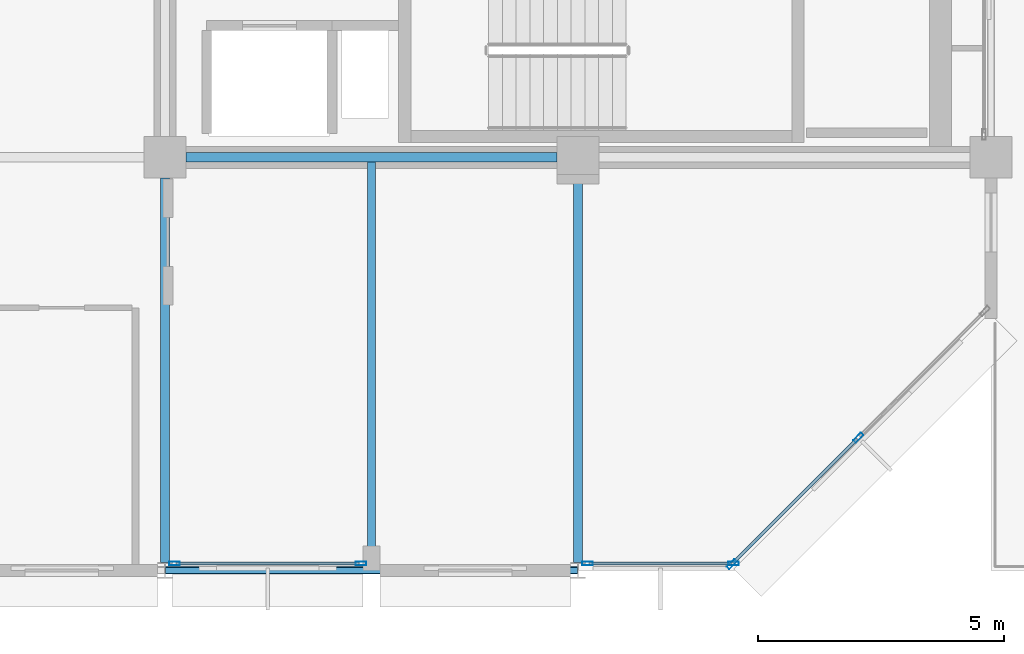
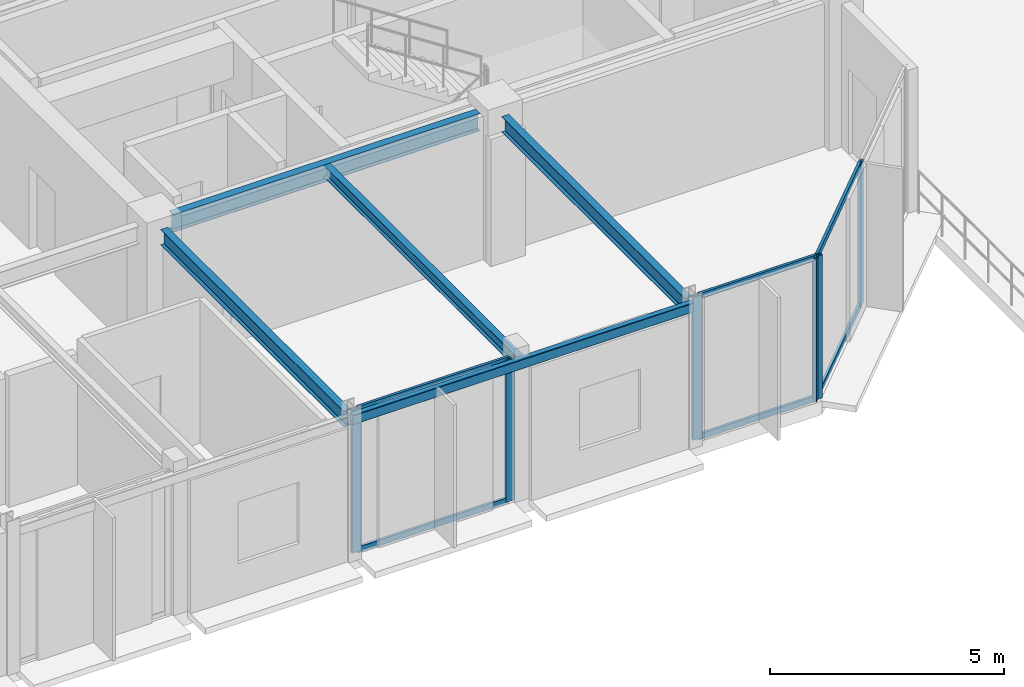
# One storey, part 5 of 23: 12 members, 5 beams, 3 elements without a shape of their own.
"""IFC4 building model written with IfcOpenShell, lengths in metres."""

from ifc_helpers import new_model, si_unit, direction, frame, origin, origin_2d, place, context, subcontext, project, spatial, hollow_rectangle, i_section, extrude, material, layer, layer_set, material_profile, profile_set, type_object, element, aggregate, save


model = new_model("IFC4")

# Units and contexts
model_context = context("Model", 3, precision=1e-05, world=origin(), true_north=direction((0.0, 1.0)))
body_context = subcontext(model_context, "Body", "Model", "MODEL_VIEW")
ifc_project = project(units=[si_unit("LENGTHUNIT", "METRE"), si_unit("AREAUNIT", "SQUARE_METRE"), si_unit("VOLUMEUNIT", "CUBIC_METRE"), si_unit("PLANEANGLEUNIT", "RADIAN"), si_unit("MASSUNIT", "GRAM", prefix="KILO")], contexts=[model_context])

# Site, building, storey
site_placement = place(None, origin())
site = spatial("IfcSite", under=ifc_project, at=site_placement, CompositionType="ELEMENT")
building_placement = place(site_placement, origin())
building = spatial("IfcBuilding", under=site, at=building_placement, Name="Nerrivon Quay Data Exchange", CompositionType="ELEMENT")
storey_placement = place(building_placement, frame((0.0, 0.0, 286.199951171875)))
storey = spatial("IfcBuildingStorey", under=building, at=storey_placement, Name="L68", CompositionType="ELEMENT", Elevation=286.199951171875)

# Beams
ifc_material_1 = material(Name="Steel Grade 350", Category="steel")
ifc_material_profile_1 = material_profile(ifc_material_1, i_section(OverallWidth=0.18994140625, OverallDepth=0.4541015625, WebThickness=0.008544921875, FlangeThickness=0.0126953125, FilletRadius=0.011474609375, at=origin_2d()), Name="460UB67.1")
ifc_profile_set_1 = profile_set([ifc_material_profile_1], Name="Steel Grade 350")
beam_type_1 = type_object("IfcBeamType", Name="BM-G6-460UB67", PredefinedType="BEAM", material=ifc_profile_set_1)
beam_1_placement = place(storey_placement, frame((17.22509765625, 8.39990234375, 3.498046875), z_axis=(1.0, 0.0, 0.0), x_axis=(0.0, 1.0, 0.0)))
element("IfcBeam", 1, at=beam_1_placement, inside=storey, type_object=beam_type_1, Name="L68 EW Girder Y=8.4 (16.8..25.2)", PredefinedType="BEAM", context=body_context, shape_type="SweptSolid", body=[
    extrude(i_section(OverallWidth=0.18994140625, OverallDepth=0.4541015625, WebThickness=0.008544921875, FlangeThickness=0.0126953125, FilletRadius=0.011474609375, at=origin_2d()), origin(), (0.0, 0.0, 1.0), 7.5498046875),
])
ifc_material_profile_2 = material_profile(ifc_material_1, i_section(OverallWidth=0.177978515625, OverallDepth=0.406005859375, WebThickness=0.0078125, FlangeThickness=0.0126953125, FilletRadius=0.011474609375, at=origin_2d()), Name="410UB59.7")
ifc_profile_set_2 = profile_set([ifc_material_profile_2], Name="Steel Grade 350")
beam_type_2 = type_object("IfcBeamType", Name="BM-J1-410UB60", PredefinedType="JOIST", material=ifc_profile_set_2)
for number, where, z_axis, x_axis, name in (
    (2, (16.800048828125, 0.16357421875, 3.52197265625), (0.0, 1.0, 0.0), (-1.0, 0.0, 0.0), "L68 NS Girder X=16.8 (0.0..8.4)"),
    (3, (25.199951171875, 0.16357421875, 3.52197265625), (0.0, 1.0, 0.0), (-1.0, 0.0, 0.0), "L68 NS Girder X=25.2 (0.0..8.4)"),
):
    element("IfcBeam", number, at=place(storey_placement, frame(where, z_axis=z_axis, x_axis=x_axis)), inside=storey, type_object=beam_type_2, Name=name, PredefinedType="JOIST", context=body_context, shape_type="SweptSolid", body=[
        extrude(i_section(OverallWidth=0.177978515625, OverallDepth=0.406005859375, WebThickness=0.0078125, FlangeThickness=0.0126953125, FilletRadius=0.011474609375, at=origin_2d()), origin(), (0.0, 0.0, 1.0), 7.8115234375),
    ])
ifc_material_profile_3 = material_profile(ifc_material_1, i_section(OverallWidth=0.1650390625, OverallDepth=0.303955078125, WebThickness=0.006103515625, FlangeThickness=0.01025390625, FilletRadius=0.011474609375, at=origin_2d()), Name="310UB40.4")
ifc_profile_set_3 = profile_set([ifc_material_profile_3], Name="Steel Grade 350")
beam_type_3 = type_object("IfcBeamType", Name="BM-J6-310UB40", PredefinedType="JOIST", material=ifc_profile_set_3)
beam_2_placement = place(storey_placement, frame((21.0, 0.074951171875, 3.572998046875), z_axis=(0.0, 1.0, 0.0), x_axis=(-1.0, 0.0, 0.0)))
element("IfcBeam", 4, at=beam_2_placement, inside=storey, type_object=beam_type_3, Name="L68 Secondary Joist X=21.0 (0.0..8.4)", PredefinedType="JOIST", context=body_context, shape_type="SweptSolid", body=[
    extrude(i_section(OverallWidth=0.1650390625, OverallDepth=0.303955078125, WebThickness=0.006103515625, FlangeThickness=0.01025390625, FilletRadius=0.011474609375, at=origin_2d()), origin(), (0.0, 0.0, 1.0), 8.22998046875),
])
ifc_material_2 = material(Name="Steel Grade C350L0 (350 MPa)", Category="steel")
ifc_material_profile_4 = material_profile(ifc_material_2, hollow_rectangle(XDim=0.14990234375, YDim=0.25, WallThickness=0.009033203125, InnerFilletRadius=0.013427734375, OuterFilletRadius=0.0224609375, at=origin_2d()), Name="250x150x9.0RHS")
ifc_profile_set_4 = profile_set([ifc_material_profile_4], Name="Steel Grade C350L0 (350 MPa)")
beam_type_4 = type_object("IfcBeamType", Name="BM-SP4-250x150RHS", PredefinedType="SPANDREL", material=ifc_profile_set_4)
beam_3_placement = place(storey_placement, frame((16.807861328125, 0.0, 3.60009765625), z_axis=(1.0, 0.0, 0.0), x_axis=(0.0, 1.0, 0.0)))
element("IfcBeam", 5, at=beam_3_placement, inside=storey, type_object=beam_type_4, Name="L68 EW Girder Y=0.0 (16.8..25.2)", PredefinedType="SPANDREL", context=body_context, shape_type="SweptSolid", body=[
    extrude(hollow_rectangle(XDim=0.14990234375, YDim=0.25, WallThickness=0.009033203125, InnerFilletRadius=0.013427734375, OuterFilletRadius=0.0224609375, at=origin_2d()), origin(), (0.0, 0.0, 1.0), 8.38427734375),
])

# Curtain wall, members
ifc_material_3 = material(Name="Anodised aluminium 6063-T6", Category="aluminium")
ifc_layer = layer(ifc_material_3, 0.22998046875)
ifc_layer_set = layer_set([ifc_layer], Name="Anodised aluminium 6063-T6")
curtain_wall_type = type_object("IfcCurtainWallType", Name="CW-SYS-05", PredefinedType="NOTDEFINED", material=ifc_layer_set)
curtain_wall_1_placement = place(storey_placement, origin())
curtain_wall_1 = element("IfcCurtainWall", 6, at=curtain_wall_1_placement, inside=storey, type_object=curtain_wall_type, Name="L68 Unitised Curtain Wall 1", PredefinedType="NOTDEFINED")
ifc_material_profile_5 = material_profile(ifc_material_3, hollow_rectangle(XDim=0.074951171875, YDim=0.219970703125, WallThickness=0.00390625, at=origin_2d()), Name="ALU-MULL-220x75")
ifc_profile_set_5 = profile_set([ifc_material_profile_5], Name="Anodised aluminium 6063-T6")
member_type_1 = type_object("IfcMemberType", Name="CWM-220x75", PredefinedType="MULLION", material=ifc_profile_set_5)
member_1_placement = place(storey_placement, frame((30.90087890625, 2.698974609375, 0.0), z_axis=(0.0, 0.0, 1.0), x_axis=(0.707106781187, -0.707106781187, 0.0)))
member_1 = element("IfcMember", 7, at=member_1_placement, type_object=member_type_1, Name="CW05 mullion 2", PredefinedType="MULLION", context=body_context, shape_type="SweptSolid", body=[
    extrude(hollow_rectangle(XDim=0.074951171875, YDim=0.219970703125, WallThickness=0.00390625, at=origin_2d()), origin(), (0.0, 0.0, 1.0), 3.72509765625),
])
member_2_placement = place(storey_placement, frame((28.32763671875, 0.12548828125, 0.0), z_axis=(0.0, 0.0, 1.0), x_axis=(0.707106781187, -0.707106781187, 0.0)))
member_2 = element("IfcMember", 8, at=member_2_placement, type_object=member_type_1, Name="CW05 mullion 3", PredefinedType="MULLION", context=body_context, shape_type="SweptSolid", body=[
    extrude(hollow_rectangle(XDim=0.074951171875, YDim=0.219970703125, WallThickness=0.00390625, at=origin_2d()), origin(), (0.0, 0.0, 1.0), 3.72509765625),
])

curtain_wall_2_placement = place(storey_placement, origin())
curtain_wall_2 = element("IfcCurtainWall", 9, at=curtain_wall_2_placement, inside=storey, type_object=curtain_wall_type, Name="L68 Unitised Curtain Wall 2", PredefinedType="NOTDEFINED")
member_3_placement = place(storey_placement, frame((28.362548828125, 0.139892578125, 0.0), z_axis=(0.0, 0.0, 1.0), x_axis=(0.0, -1.0, 0.0)))
member_3 = element("IfcMember", 10, at=member_3_placement, type_object=member_type_1, Name="CW05 mullion 1", PredefinedType="MULLION", context=body_context, shape_type="SweptSolid", body=[
    extrude(hollow_rectangle(XDim=0.074951171875, YDim=0.219970703125, WallThickness=0.00390625, at=origin_2d()), origin(), (0.0, 0.0, 1.0), 3.72509765625),
])
member_4_placement = place(storey_placement, frame((25.39306640625, 0.139892578125, 0.0), z_axis=(0.0, 0.0, 1.0), x_axis=(0.0, -1.0, 0.0)))
member_4 = element("IfcMember", 11, at=member_4_placement, type_object=member_type_1, Name="CW05 mullion 2", PredefinedType="MULLION", context=body_context, shape_type="SweptSolid", body=[
    extrude(hollow_rectangle(XDim=0.074951171875, YDim=0.219970703125, WallThickness=0.00390625, at=origin_2d()), origin(), (0.0, 0.0, 1.0), 3.72509765625),
])

curtain_wall_3_placement = place(storey_placement, origin())
curtain_wall_3 = element("IfcCurtainWall", 12, at=curtain_wall_3_placement, inside=storey, type_object=curtain_wall_type, Name="L68 Unitised Curtain Wall 4", PredefinedType="NOTDEFINED")
member_5_placement = place(storey_placement, frame((20.78759765625, 0.139892578125, 0.0), z_axis=(0.0, 0.0, 1.0), x_axis=(0.0, -1.0, 0.0)))
member_5 = element("IfcMember", 13, at=member_5_placement, type_object=member_type_1, Name="CW05 mullion 1", PredefinedType="MULLION", context=body_context, shape_type="SweptSolid", body=[
    extrude(hollow_rectangle(XDim=0.074951171875, YDim=0.219970703125, WallThickness=0.00390625, at=origin_2d()), origin(), (0.0, 0.0, 1.0), 3.72509765625),
])
member_6_placement = place(storey_placement, frame((16.992919921875, 0.139892578125, 0.0), z_axis=(0.0, 0.0, 1.0), x_axis=(0.0, -1.0, 0.0)))
member_6 = element("IfcMember", 14, at=member_6_placement, type_object=member_type_1, Name="CW05 mullion 2", PredefinedType="MULLION", context=body_context, shape_type="SweptSolid", body=[
    extrude(hollow_rectangle(XDim=0.074951171875, YDim=0.219970703125, WallThickness=0.00390625, at=origin_2d()), origin(), (0.0, 0.0, 1.0), 3.72509765625),
])

# Member
ifc_material_profile_6 = material_profile(ifc_material_3, hollow_rectangle(XDim=0.06494140625, YDim=0.14990234375, WallThickness=0.00341796875, at=origin_2d()), Name="ALU-TRAN-150x65")
ifc_profile_set_6 = profile_set([ifc_material_profile_6], Name="Anodised aluminium 6063-T6")
member_type_2 = type_object("IfcMemberType", Name="CWT-150x65", PredefinedType="USERDEFINED", material=ifc_profile_set_6)
member_7_placement = place(storey_placement, frame((30.87451171875, 2.67236328125, 0.032470703125), z_axis=(-0.707141027792, -0.707072532923, 0.0), x_axis=(0.707072532923, -0.707141027792, 0.0)))
member_7 = element("IfcMember", 15, at=member_7_placement, type_object=member_type_2, Name="CW05 transom 2.1", ObjectType="TRANSOM", PredefinedType="USERDEFINED", context=body_context, shape_type="SweptSolid", body=[
    extrude(hollow_rectangle(XDim=0.06494140625, YDim=0.14990234375, WallThickness=0.00341796875, at=origin_2d()), origin(), (0.0, 0.0, 1.0), 3.564453125),
])

member_8_placement = place(storey_placement, frame((30.87451171875, 2.67236328125, 3.692626953125), z_axis=(-0.707141027792, -0.707072532923, 0.0), x_axis=(0.707072532923, -0.707141027792, 0.0)))
member_8 = element("IfcMember", 16, at=member_8_placement, type_object=member_type_2, Name="CW05 transom 2.2", ObjectType="TRANSOM", PredefinedType="USERDEFINED", context=body_context, shape_type="SweptSolid", body=[
    extrude(hollow_rectangle(XDim=0.06494140625, YDim=0.14990234375, WallThickness=0.00341796875, at=origin_2d()), origin(), (0.0, 0.0, 1.0), 3.564453125),
])

aggregate(curtain_wall_1, [member_1, member_2, member_7, member_8])

member_9_placement = place(storey_placement, frame((28.324951171875, 0.139892578125, 0.032470703125), z_axis=(-1.0, 0.0, 0.0), x_axis=(0.0, -1.0, 0.0)))
member_9 = element("IfcMember", 17, at=member_9_placement, type_object=member_type_2, Name="CW05 transom 1.1", ObjectType="TRANSOM", PredefinedType="USERDEFINED", context=body_context, shape_type="SweptSolid", body=[
    extrude(hollow_rectangle(XDim=0.06494140625, YDim=0.14990234375, WallThickness=0.00341796875, at=origin_2d()), origin(), (0.0, 0.0, 1.0), 2.89453125),
])

member_10_placement = place(storey_placement, frame((28.324951171875, 0.139892578125, 3.692626953125), z_axis=(-1.0, 0.0, 0.0), x_axis=(0.0, -1.0, 0.0)))
member_10 = element("IfcMember", 18, at=member_10_placement, type_object=member_type_2, Name="CW05 transom 1.2", ObjectType="TRANSOM", PredefinedType="USERDEFINED", context=body_context, shape_type="SweptSolid", body=[
    extrude(hollow_rectangle(XDim=0.06494140625, YDim=0.14990234375, WallThickness=0.00341796875, at=origin_2d()), origin(), (0.0, 0.0, 1.0), 2.89453125),
])

aggregate(curtain_wall_2, [member_3, member_4, member_9, member_10])

member_11_placement = place(storey_placement, frame((20.75, 0.139892578125, 0.032470703125), z_axis=(-1.0, 0.0, 0.0), x_axis=(0.0, -1.0, 0.0)))
member_11 = element("IfcMember", 19, at=member_11_placement, type_object=member_type_2, Name="CW05 transom 1.1", ObjectType="TRANSOM", PredefinedType="USERDEFINED", context=body_context, shape_type="SweptSolid", body=[
    extrude(hollow_rectangle(XDim=0.06494140625, YDim=0.14990234375, WallThickness=0.00341796875, at=origin_2d()), origin(), (0.0, 0.0, 1.0), 3.719482421875),
])

member_12_placement = place(storey_placement, frame((20.75, 0.139892578125, 3.692626953125), z_axis=(-1.0, 0.0, 0.0), x_axis=(0.0, -1.0, 0.0)))
member_12 = element("IfcMember", 20, at=member_12_placement, type_object=member_type_2, Name="CW05 transom 1.2", ObjectType="TRANSOM", PredefinedType="USERDEFINED", context=body_context, shape_type="SweptSolid", body=[
    extrude(hollow_rectangle(XDim=0.06494140625, YDim=0.14990234375, WallThickness=0.00341796875, at=origin_2d()), origin(), (0.0, 0.0, 1.0), 3.719482421875),
])

aggregate(curtain_wall_3, [member_5, member_6, member_11, member_12])

save(model, "model.ifc")
